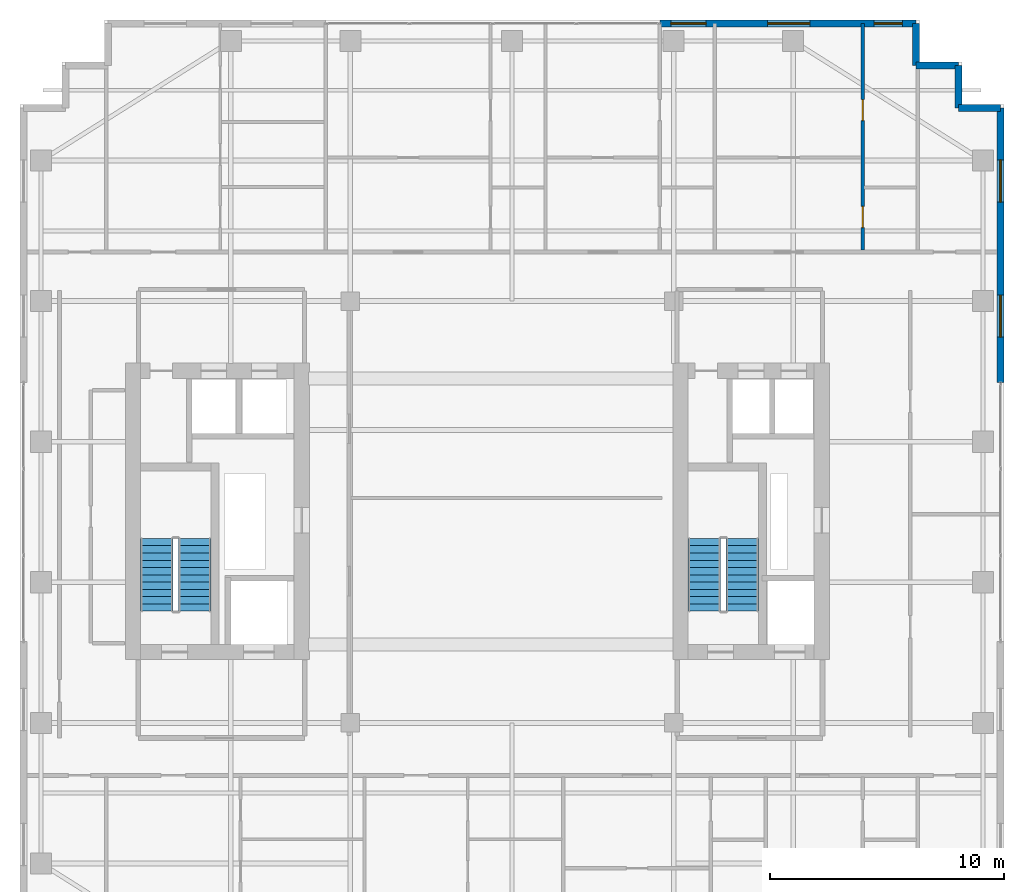
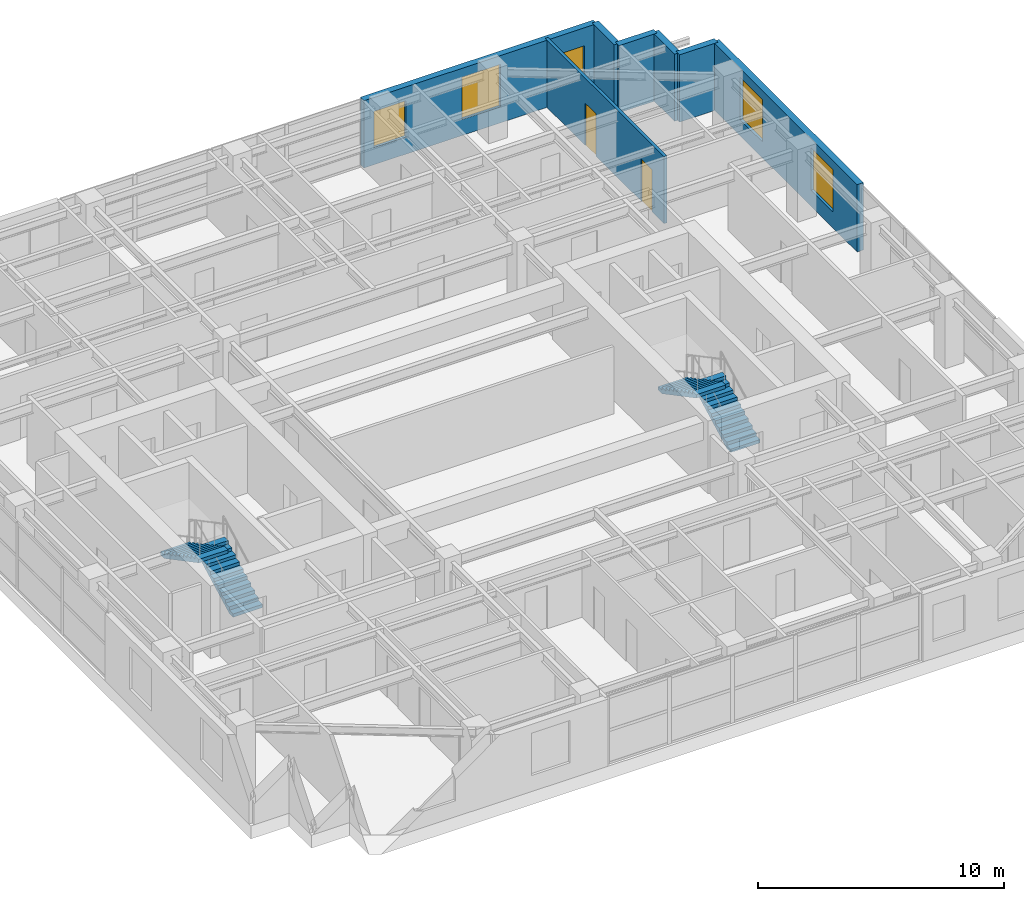
# One storey, part 23 of 24: 7 walls, 5 windows, 4 stair flights, 2 doors, 7 openings, 2 elements without a shape of their own.
"""IFC4 building model written with IfcOpenShell, lengths in metres."""

from ifc_helpers import new_model, si_unit, direction, frame, frame_2d, origin, place, context, subcontext, project, spatial, polyline, rectangle, outline, extrude, source, transform, mapped, material, layer, layer_set, type_object, element, fill, aggregate, save


model = new_model("IFC4")

# Units and contexts
model_context = context("Model", 3, precision=1e-05, world=origin(), true_north=direction((0.0, 1.0)))
body_context = subcontext(model_context, "Body", "Model", "MODEL_VIEW")
ifc_project = project(units=[si_unit("LENGTHUNIT", "METRE"), si_unit("AREAUNIT", "SQUARE_METRE"), si_unit("VOLUMEUNIT", "CUBIC_METRE"), si_unit("PLANEANGLEUNIT", "RADIAN"), si_unit("MASSUNIT", "GRAM", prefix="KILO")], contexts=[model_context])

# Site, building, storey
site_placement = place(None, origin())
site = spatial("IfcSite", under=ifc_project, at=site_placement, CompositionType="ELEMENT")
building_placement = place(site_placement, origin())
building = spatial("IfcBuilding", under=site, at=building_placement, Name="Khoralis Quay Care Tower", CompositionType="ELEMENT")
storey_placement = place(building_placement, frame((0.0, 0.0, 155.699951171875)))
storey = spatial("IfcBuildingStorey", under=building, at=storey_placement, Name="L40", CompositionType="ELEMENT", Elevation=155.699951171875)

# Wall, openings, windows
ifc_material_1 = material(Name="Precast concrete C45/55", Category="concrete")
ifc_layer_1 = layer(ifc_material_1, 0.300048828125)
ifc_layer_set_1 = layer_set([ifc_layer_1], Name="Precast concrete C45/55")
wall_type_1 = type_object("IfcWallType", Name="WL-EXT-REF-300", PredefinedType="SOLIDWALL", material=ifc_layer_set_1)
wall_1_placement = place(storey_placement, frame((44.85009765625, 26.52001953125, 0.0), z_axis=(0.0, 0.0, 1.0), x_axis=(0.0, 1.0, 0.0)))
wall_1 = element("IfcWall", 1, at=wall_1_placement, inside=storey, type_object=wall_type_1, Name="L40 External Facade Wall WL-EXT-L40-P1-E5B", PredefinedType="SOLIDWALL", context=body_context, shape_type="SweptSolid", body=[
    extrude(rectangle(XDim=11.72998046875, YDim=0.300048828125, at=frame_2d((5.864990234375, 0.0))), origin(), (0.0, 0.0, 1.0), 3.340087890625),
])
opening_1_placement = place(wall_1_placement, frame((1.93994140625, 0.0, 0.800048828125)))
opening_1 = element("IfcOpeningElement", 2, at=opening_1_placement, cuts=wall_1, Name="Opening W2", PredefinedType="OPENING", context=body_context, shape_type="SweptSolid", body=[
    extrude(rectangle(XDim=1.800048828125, YDim=2.10009765625, at=frame_2d((0.89990234375, 1.050048828125))), frame((0.0, 0.16015625, 0.0), z_axis=(0.0, -1.0, 0.0), x_axis=(1.0, 0.0, 0.0)), (0.0, 0.0, 1.0), 0.320068359375),
])
opening_2_placement = place(wall_1_placement, frame((7.705078125, 0.0, 0.800048828125)))
opening_2 = element("IfcOpeningElement", 3, at=opening_2_placement, cuts=wall_1, Name="Opening W2", PredefinedType="OPENING", context=body_context, shape_type="SweptSolid", body=[
    extrude(rectangle(XDim=1.800048828125, YDim=2.10009765625, at=frame_2d((0.89990234375, 1.050048828125))), frame((0.0, 0.16015625, 0.0), z_axis=(0.0, -1.0, 0.0), x_axis=(1.0, 0.0, 0.0)), (0.0, 0.0, 1.0), 0.320068359375),
])
ifc_material_2 = material(Name="Low-E solar-control double glazing", Category="glass")
window_type_1 = type_object("IfcWindowType", Name="WN-POD-1800X2100", PartitioningType="SINGLE_PANEL", PredefinedType="WINDOW", material=ifc_material_2)
shared_shape_1 = source(origin(), body_context, "Body", "SweptSolid", [
    extrude(rectangle(XDim=1.800048828125, YDim=2.10009765625, at=frame_2d((0.89990234375, 1.050048828125))), frame((0.0, 0.030029296875, 0.0), z_axis=(0.0, -1.0, 0.0), x_axis=(1.0, 0.0, 0.0)), (0.0, 0.0, 1.0), 0.06005859375),
])
window_1_placement = place(opening_1_placement, origin())
window_1 = element("IfcWindow", 4, at=window_1_placement, inside=storey, type_object=window_type_1, Name="WN-L40-P1-E5B Facade Window 01", OverallHeight=2.10009765625, OverallWidth=1.800048828125, PartitioningType="SINGLE_PANEL", PredefinedType="WINDOW", context=body_context, shape_type="MappedRepresentation", body=[
    mapped(shared_shape_1, transform((0.0, 0.0, 0.0), scale=1.0)),
])
fill(opening_1, window_1)
window_2_placement = place(opening_2_placement, origin())
window_2 = element("IfcWindow", 5, at=window_2_placement, inside=storey, type_object=window_type_1, Name="WN-L40-P1-E5B Facade Window 02", OverallHeight=2.10009765625, OverallWidth=1.800048828125, PartitioningType="SINGLE_PANEL", PredefinedType="WINDOW", context=body_context, shape_type="MappedRepresentation", body=[
    mapped(shared_shape_1, transform((0.0, 0.0, 0.0), scale=1.0)),
])
fill(opening_2, window_2)

# Walls
for number, where, z_axis, x_axis, name in (
    (6, (44.85009765625, 38.25, 0.0), (0.0, 0.0, 1.0), (-1.0, 0.0, 0.0), "L40 External Facade Wall WL-EXT-L40-P1-C6"),
    (7, (43.050048828125, 38.25, 0.0), (0.0, 0.0, 1.0), (0.0, 1.0, 0.0), "L40 External Facade Wall WL-EXT-L40-P1-C7"),
    (8, (43.050048828125, 40.050048828125, 0.0), (0.0, 0.0, 1.0), (-1.0, 0.0, 0.0), "L40 External Facade Wall WL-EXT-L40-P1-C8"),
    (9, (41.25, 40.050048828125, 0.0), (0.0, 0.0, 1.0), (0.0, 1.0, 0.0), "L40 External Facade Wall WL-EXT-L40-P1-C9"),
):
    element("IfcWall", number, at=place(storey_placement, frame(where, z_axis=z_axis, x_axis=x_axis)), inside=storey, type_object=wall_type_1, Name=name, PredefinedType="SOLIDWALL", context=body_context, shape_type="SweptSolid", body=[
        extrude(rectangle(XDim=1.800048828125, YDim=0.300048828125, at=frame_2d((0.89990234375, 0.0))), origin(), (0.0, 0.0, 1.0), 3.340087890625),
    ])

# Wall, openings, windows
wall_2_placement = place(storey_placement, frame((41.25, 41.85009765625, 0.0), z_axis=(0.0, 0.0, 1.0), x_axis=(-1.0, 0.0, 0.0)))
wall_2 = element("IfcWall", 10, at=wall_2_placement, inside=storey, type_object=wall_type_1, Name="L40 External Facade Wall WL-EXT-L40-P1-E10A", PredefinedType="SOLIDWALL", context=body_context, shape_type="SweptSolid", body=[
    extrude(rectangle(XDim=10.93994140625, YDim=0.300048828125, at=frame_2d((5.469970703125, 0.0))), origin(), (0.0, 0.0, 1.0), 3.340087890625),
])
opening_3_placement = place(wall_2_placement, frame((0.590087890625, 0.0, 0.949951171875)))
opening_3 = element("IfcOpeningElement", 11, at=opening_3_placement, cuts=wall_2, Name="Opening W6", PredefinedType="OPENING", context=body_context, shape_type="SweptSolid", body=[
    extrude(rectangle(XDim=1.199951171875, YDim=1.5, at=frame_2d((0.60009765625, 0.75))), frame((0.0, 0.16015625, 0.0), z_axis=(0.0, -1.0, 0.0), x_axis=(1.0, 0.0, 0.0)), (0.0, 0.0, 1.0), 0.320068359375),
])
opening_4_placement = place(wall_2_placement, frame((4.534912109375, 0.0, 0.800048828125)))
opening_4 = element("IfcOpeningElement", 12, at=opening_4_placement, cuts=wall_2, Name="Opening W2", PredefinedType="OPENING", context=body_context, shape_type="SweptSolid", body=[
    extrude(rectangle(XDim=1.800048828125, YDim=2.10009765625, at=frame_2d((0.89990234375, 1.050048828125))), frame((0.0, 0.16015625, 0.0), z_axis=(0.0, -1.0, 0.0), x_axis=(1.0, 0.0, 0.0)), (0.0, 0.0, 1.0), 0.320068359375),
])
opening_5_placement = place(wall_2_placement, frame((8.965087890625, 0.0, 0.85009765625)))
opening_5 = element("IfcOpeningElement", 13, at=opening_5_placement, cuts=wall_2, Name="Opening W3", PredefinedType="OPENING", context=body_context, shape_type="SweptSolid", body=[
    extrude(rectangle(XDim=1.5, YDim=1.800048828125, at=frame_2d((0.75, 0.89990234375))), frame((0.0, 0.16015625, 0.0), z_axis=(0.0, -1.0, 0.0), x_axis=(1.0, 0.0, 0.0)), (0.0, 0.0, 1.0), 0.320068359375),
])
window_type_2 = type_object("IfcWindowType", Name="WN-CLIN-1500X1800", PartitioningType="SINGLE_PANEL", PredefinedType="WINDOW", material=ifc_material_2)
shared_shape_2 = source(origin(), body_context, "Body", "SweptSolid", [
    extrude(rectangle(XDim=1.5, YDim=1.800048828125, at=frame_2d((0.75, 0.89990234375))), frame((0.0, 0.030029296875, 0.0), z_axis=(0.0, -1.0, 0.0), x_axis=(1.0, 0.0, 0.0)), (0.0, 0.0, 1.0), 0.06005859375),
])
window_3_placement = place(opening_5_placement, origin())
window_3 = element("IfcWindow", 14, at=window_3_placement, inside=storey, type_object=window_type_2, Name="WN-L40-P1-E10A Facade Window 03", OverallHeight=1.800048828125, OverallWidth=1.5, PartitioningType="SINGLE_PANEL", PredefinedType="WINDOW", context=body_context, shape_type="MappedRepresentation", body=[
    mapped(shared_shape_2, transform((0.0, 0.0, 0.0), scale=1.0)),
])
fill(opening_5, window_3)
window_type_3 = type_object("IfcWindowType", Name="WN-SCH-1200X1500", PartitioningType="SINGLE_PANEL", PredefinedType="WINDOW", material=ifc_material_2)
shared_shape_3 = source(origin(), body_context, "Body", "SweptSolid", [
    extrude(rectangle(XDim=1.199951171875, YDim=1.5, at=frame_2d((0.60009765625, 0.75))), frame((0.0, 0.030029296875, 0.0), z_axis=(0.0, -1.0, 0.0), x_axis=(1.0, 0.0, 0.0)), (0.0, 0.0, 1.0), 0.06005859375),
])
window_4_placement = place(opening_3_placement, origin())
window_4 = element("IfcWindow", 15, at=window_4_placement, inside=storey, type_object=window_type_3, Name="WN-L40-P1-E10A Facade Window 01", OverallHeight=1.5, OverallWidth=1.199951171875, PartitioningType="SINGLE_PANEL", PredefinedType="WINDOW", context=body_context, shape_type="MappedRepresentation", body=[
    mapped(shared_shape_3, transform((0.0, 0.0, 0.0), scale=1.0)),
])
fill(opening_3, window_4)
window_5_placement = place(opening_4_placement, origin())
window_5 = element("IfcWindow", 16, at=window_5_placement, inside=storey, type_object=window_type_1, Name="WN-L40-P1-E10A Facade Window 02", OverallHeight=2.10009765625, OverallWidth=1.800048828125, PartitioningType="SINGLE_PANEL", PredefinedType="WINDOW", context=body_context, shape_type="MappedRepresentation", body=[
    mapped(shared_shape_1, transform((0.0, 0.0, 0.0), scale=1.0)),
])
fill(opening_4, window_5)

# Wall, openings, doors
ifc_material_3 = material(Name="Moisture-resistant gypsum and ceramic tile")
ifc_layer_2 = layer(ifc_material_3, 0.280029296875)
ifc_layer_set_2 = layer_set([ifc_layer_2], Name="Moisture-resistant gypsum and ceramic tile")
wall_type_2 = type_object("IfcWallType", Name="WL-PLUMB-280", PredefinedType="PLUMBINGWALL", material=ifc_layer_set_2)
wall_3_placement = place(storey_placement, frame((38.969970703125, 32.177490234375, 0.0), z_axis=(0.0, 0.0, 1.0), x_axis=(0.0, 1.0, 0.0)))
wall_3 = element("IfcWall", 17, at=wall_3_placement, inside=storey, type_object=wall_type_2, Name="L40 Care Suite 3 En-Suite Wall V", PredefinedType="PLUMBINGWALL", context=body_context, shape_type="SweptSolid", body=[
    extrude(rectangle(XDim=9.677490234375, YDim=0.139892578125, at=frame_2d((4.8388671875, 0.0))), origin(), (0.0, 0.0, 1.0), 3.340087890625),
])
opening_6_placement = place(wall_3_placement, frame((0.96240234375, 0.0, 0.0)))
opening_6 = element("IfcOpeningElement", 18, at=opening_6_placement, cuts=wall_3, Name="Opening WD1", PredefinedType="OPENING", context=body_context, shape_type="SweptSolid", body=[
    extrude(rectangle(XDim=0.89990234375, YDim=2.10009765625, at=frame_2d((0.449951171875, 1.050048828125))), frame((0.0, 0.080078125, 0.0), z_axis=(0.0, -1.0, 0.0), x_axis=(1.0, 0.0, 0.0)), (0.0, 0.0, 1.0), 0.159912109375),
])
opening_7_placement = place(wall_3_placement, frame((5.5224609375, 0.0, 0.0)))
opening_7 = element("IfcOpeningElement", 19, at=opening_7_placement, cuts=wall_3, Name="Opening WD1", PredefinedType="OPENING", context=body_context, shape_type="SweptSolid", body=[
    extrude(rectangle(XDim=0.89990234375, YDim=2.10009765625, at=frame_2d((0.449951171875, 1.050048828125))), frame((0.0, 0.080078125, 0.0), z_axis=(0.0, -1.0, 0.0), x_axis=(1.0, 0.0, 0.0)), (0.0, 0.0, 1.0), 0.159912109375),
])
ifc_material_4 = material(Name="Acoustic hardwood timber", Category="wood")
door_type = type_object("IfcDoorType", Name="DR-BATH-900X2100", OperationType="NOTDEFINED", PredefinedType="DOOR", material=ifc_material_4)
shared_shape_4 = source(origin(), body_context, "Body", "SweptSolid", [
    extrude(rectangle(XDim=0.89990234375, YDim=2.10009765625, at=frame_2d((0.449951171875, 1.050048828125))), frame((0.0, 0.02490234375, 0.0), z_axis=(0.0, -1.0, 0.0), x_axis=(1.0, 0.0, 0.0)), (0.0, 0.0, 1.0), 0.050048828125),
])
door_1_placement = place(opening_6_placement, frame((0.89990234375, 0.0, 0.0), z_axis=(0.0, 0.0, 1.0), x_axis=(-1.0, 0.0, 0.0)))
door_1 = element("IfcDoor", 20, at=door_1_placement, inside=storey, type_object=door_type, Name="L40 Care CENS Door", OperationType="SINGLE_SWING_RIGHT", OverallHeight=2.10009765625, OverallWidth=0.89990234375, PredefinedType="DOOR", context=body_context, shape_type="MappedRepresentation", body=[
    mapped(shared_shape_4, transform((0.0, 0.0, 0.0), scale=1.0)),
])
fill(opening_6, door_1)
door_2_placement = place(opening_7_placement, frame((0.89990234375, 0.0, 0.0), z_axis=(0.0, 0.0, 1.0), x_axis=(-1.0, 0.0, 0.0)))
door_2 = element("IfcDoor", 21, at=door_2_placement, inside=storey, type_object=door_type, Name="L40 Care CSIT Door", OperationType="SINGLE_SWING_LEFT", OverallHeight=2.10009765625, OverallWidth=0.89990234375, PredefinedType="DOOR", context=body_context, shape_type="MappedRepresentation", body=[
    mapped(shared_shape_4, transform((0.0, 0.0, 0.0), scale=1.0)),
])
fill(opening_7, door_2)

# Stair, stair flights
stair_type = type_object("IfcStairType", Name="ST-TWR-DOGLEG-1400", PredefinedType="HALF_TURN_STAIR", material=ifc_material_1)
stair_1_placement = place(storey_placement, origin())
stair_1 = element("IfcStair", 22, at=stair_1_placement, inside=storey, type_object=stair_type, Name="L40 West Core Exit Stair ST-T1", PredefinedType="HALF_TURN_STAIR")
stair_flight_type = type_object("IfcStairFlightType", Name="SF-TWR-1400", PredefinedType="STRAIGHT", material=ifc_material_1)
shared_shape_5 = source(origin(), body_context, "Body", "SweptSolid", [
    extrude(outline(polyline([(0.0, 0.0), (0.0, 0.16357421875), (0.31005859375, 0.16357421875), (0.31005859375, 0.327392578125), (0.6201171875, 0.327392578125), (0.6201171875, 0.490966796875), (0.929931640625, 0.490966796875), (0.929931640625, 0.654541015625), (1.239990234375, 0.654541015625), (1.239990234375, 0.818115234375), (1.550048828125, 0.818115234375), (1.550048828125, 0.98193359375), (1.860107421875, 0.98193359375), (1.860107421875, 1.1455078125), (2.169921875, 1.1455078125), (2.169921875, 1.30908203125), (2.47998046875, 1.30908203125), (2.47998046875, 1.47265625), (2.7900390625, 1.47265625), (2.7900390625, 1.636474609375), (3.10009765625, 1.636474609375), (3.10009765625, 1.800048828125), (3.10009765625, 1.466796875), (0.321044921875, 0.0), (0.0, 0.0)])), frame((0.0, 0.68994140625, 0.0), z_axis=(0.0, -1.0, 0.0), x_axis=(1.0, 0.0, 0.0)), (0.0, 0.0, 1.0), 1.3798828125),
])
stair_flight_1_placement = place(storey_placement, frame((10.4599609375, 16.77001953125, 0.0), z_axis=(0.0, 0.0, 1.0), x_axis=(0.0, 1.0, 0.0)))
stair_flight_1 = element("IfcStairFlight", 23, at=stair_flight_1_placement, type_object=stair_flight_type, Name="ST-T1 flight 1", NumberOfRisers=11, NumberOfTreads=10, PredefinedType="STRAIGHT", RiserHeight=0.163636364, TreadLength=0.31, context=body_context, shape_type="MappedRepresentation", body=[
    mapped(shared_shape_5, transform((0.0, 0.0, 0.0), scale=1.0)),
])
stair_flight_2_placement = place(storey_placement, frame((8.840087890625, 19.8701171875, 1.800048828125), z_axis=(0.0, 0.0, 1.0), x_axis=(0.0, -1.0, 0.0)))
stair_flight_2 = element("IfcStairFlight", 24, at=stair_flight_2_placement, type_object=stair_flight_type, Name="ST-T1 flight 2", NumberOfRisers=11, NumberOfTreads=10, PredefinedType="STRAIGHT", RiserHeight=0.163636364, TreadLength=0.31, context=body_context, shape_type="MappedRepresentation", body=[
    mapped(shared_shape_5, transform((0.0, 0.0, 0.0), scale=1.0)),
])
aggregate(stair_1, [stair_flight_1, stair_flight_2])

stair_2_placement = place(storey_placement, origin())
stair_2 = element("IfcStair", 25, at=stair_2_placement, inside=storey, type_object=stair_type, Name="L40 East Core Exit Stair ST-T2", PredefinedType="HALF_TURN_STAIR")
stair_flight_3_placement = place(storey_placement, frame((33.830078125, 16.77001953125, 0.0), z_axis=(0.0, 0.0, 1.0), x_axis=(0.0, 1.0, 0.0)))
stair_flight_3 = element("IfcStairFlight", 26, at=stair_flight_3_placement, type_object=stair_flight_type, Name="ST-T2 flight 1", NumberOfRisers=11, NumberOfTreads=10, PredefinedType="STRAIGHT", RiserHeight=0.163636364, TreadLength=0.31, context=body_context, shape_type="MappedRepresentation", body=[
    mapped(shared_shape_5, transform((0.0, 0.0, 0.0), scale=1.0)),
])
stair_flight_4_placement = place(storey_placement, frame((32.2099609375, 19.8701171875, 1.800048828125), z_axis=(0.0, 0.0, 1.0), x_axis=(0.0, -1.0, 0.0)))
stair_flight_4 = element("IfcStairFlight", 27, at=stair_flight_4_placement, type_object=stair_flight_type, Name="ST-T2 flight 2", NumberOfRisers=11, NumberOfTreads=10, PredefinedType="STRAIGHT", RiserHeight=0.163636364, TreadLength=0.31, context=body_context, shape_type="MappedRepresentation", body=[
    mapped(shared_shape_5, transform((0.0, 0.0, 0.0), scale=1.0)),
])
aggregate(stair_2, [stair_flight_3, stair_flight_4])

save(model, "model.ifc")
